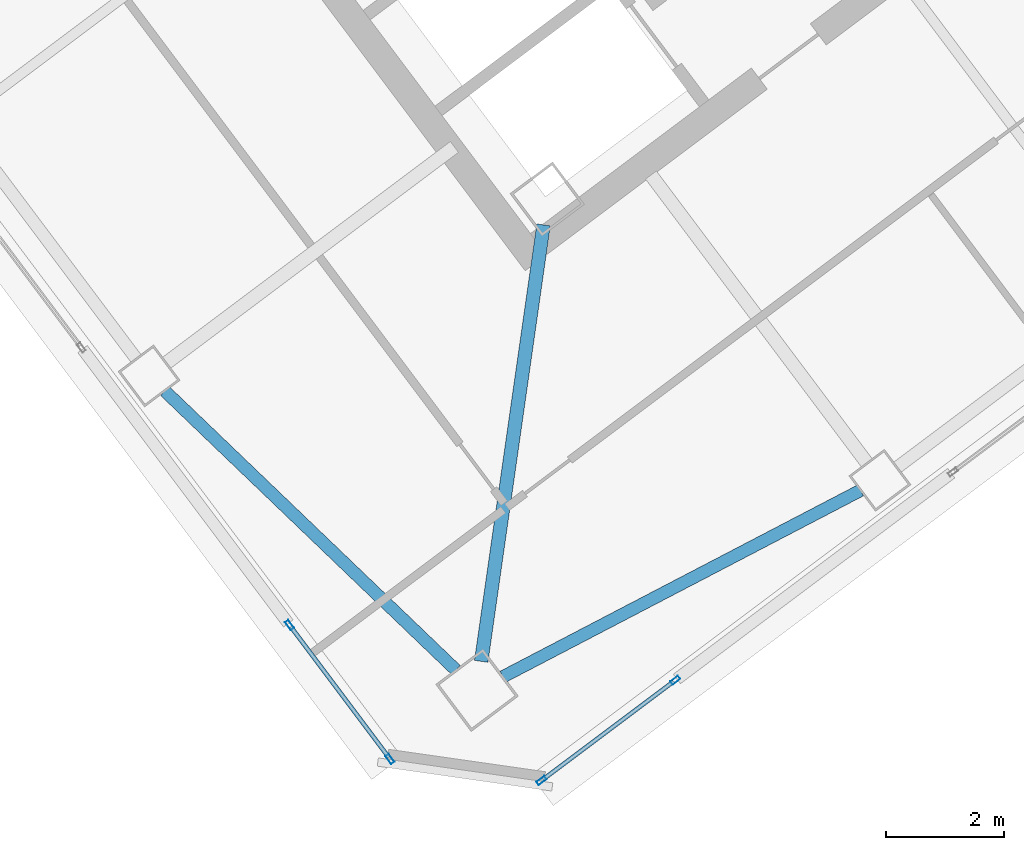
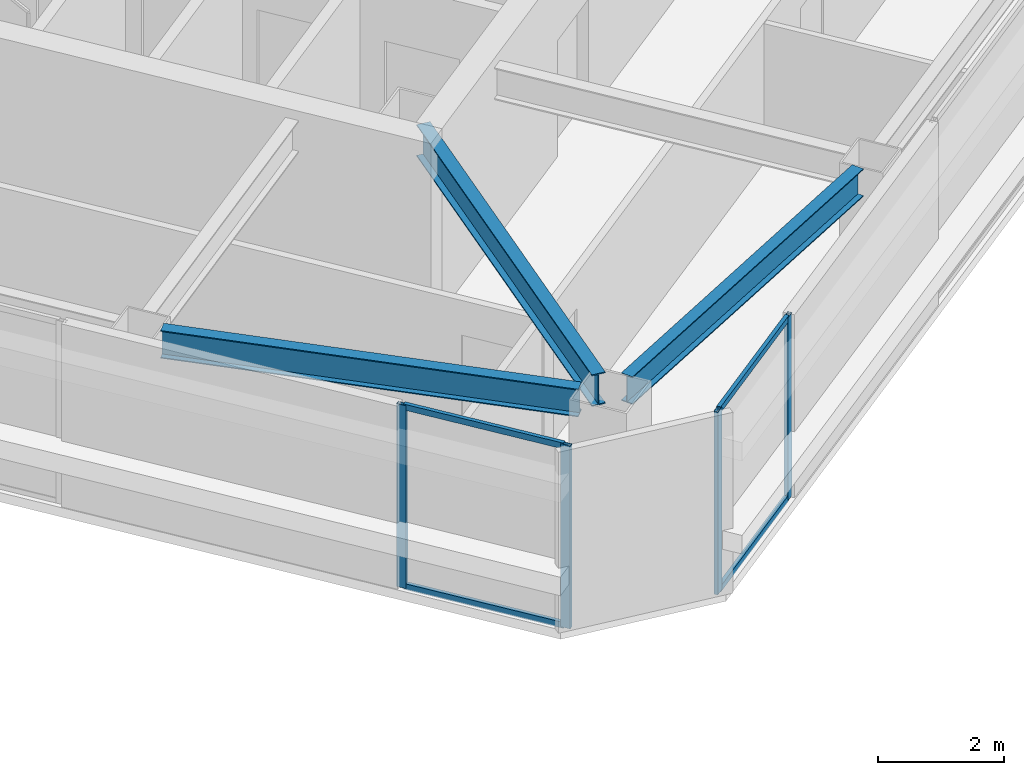
# One storey, part 16 of 36: 8 members, 3 beams, 2 elements without a shape of their own.
"""IFC4 building model written with IfcOpenShell, lengths in metres."""

from ifc_helpers import new_model, si_unit, direction, frame, origin, origin_2d, place, context, subcontext, project, spatial, hollow_rectangle, i_section, extrude, material, material_profile, profile_set, type_object, element, aggregate, save


model = new_model("IFC4")

# Units and contexts
model_context = context("Model", 3, precision=1e-05, world=origin(), true_north=direction((0.0, 1.0)))
body_context = subcontext(model_context, "Body", "Model", "MODEL_VIEW")
ifc_project = project(units=[si_unit("LENGTHUNIT", "METRE"), si_unit("AREAUNIT", "SQUARE_METRE"), si_unit("VOLUMEUNIT", "CUBIC_METRE"), si_unit("PLANEANGLEUNIT", "RADIAN"), si_unit("MASSUNIT", "GRAM", prefix="KILO")], contexts=[model_context])

# Site, building, storey
site_placement = place(None, origin())
site = spatial("IfcSite", under=ifc_project, at=site_placement, CompositionType="ELEMENT")
building_placement = place(site_placement, origin())
building = spatial("IfcBuilding", under=site, at=building_placement, Name="Tashvorn Skyway Center", CompositionType="ELEMENT")
storey_placement = place(building_placement, frame((0.0, 0.0, 236.14990234375)))
storey = spatial("IfcBuildingStorey", under=building, at=storey_placement, Name="L64", CompositionType="ELEMENT", Elevation=236.14990234375)

# Beams
ifc_material_1 = material(Name="Steel ASTM A992 Grade 50", Category="steel")
ifc_material_profile_1 = material_profile(ifc_material_1, i_section(OverallWidth=0.22998046875, OverallDepth=0.616943359375, WebThickness=0.01318359375, FlangeThickness=0.022216796875, at=origin_2d()), Name="W24X94")
ifc_profile_set_1 = profile_set([ifc_material_profile_1], Name="Steel ASTM A992 Grade 50")
beam_type_1 = type_object("IfcBeamType", Name="BM-BEAM-W24X94", PredefinedType="BEAM", material=ifc_profile_set_1)
beam_placement = place(storey_placement, frame((111.469970703125, 14.2900390625, 3.0615234375), z_axis=(0.141430501853, 0.989948187102, 0.0), x_axis=(-0.989948187102, 0.141430501853, 0.0)))
element("IfcBeam", 1, at=beam_placement, inside=storey, type_object=beam_type_1, Name="Tower 2 L64 Primary Floor Girder MC-SW", PredefinedType="BEAM", context=body_context, shape_type="SweptSolid", body=[
    extrude(i_section(OverallWidth=0.22998046875, OverallDepth=0.616943359375, WebThickness=0.01318359375, FlangeThickness=0.022216796875, at=origin_2d()), origin(), (0.0, 0.0, 1.0), 7.474609375),
])
ifc_material_profile_2 = material_profile(ifc_material_1, i_section(OverallWidth=0.2109375, OverallDepth=0.5390625, WebThickness=0.01171875, FlangeThickness=0.018798828125, at=origin_2d()), Name="W21X73")
ifc_profile_set_2 = profile_set([ifc_material_profile_2], Name="Steel ASTM A992 Grade 50")
beam_type_2 = type_object("IfcBeamType", Name="BM-SPANDREL-W21X73", PredefinedType="SPANDREL", material=ifc_profile_set_2)
for number, where, z_axis, x_axis, name in (
    (2, (111.8388671875, 14.02880859375, 3.1005859375), (0.886773234579, 0.462204749472, 0.0), (-0.462204749472, 0.886773234579, 0.0), "Tower 2 L64 Spandrel Beam 01"),
    (3, (106.107177734375, 18.8740234375, 3.1005859375), (0.72187522213, -0.69202323926, 0.0), (0.69202323926, 0.72187522213, 0.0), "Tower 2 L64 Spandrel Beam 12"),
):
    element("IfcBeam", number, at=place(storey_placement, frame(where, z_axis=z_axis, x_axis=x_axis)), inside=storey, type_object=beam_type_2, Name=name, PredefinedType="SPANDREL", context=body_context, shape_type="SweptSolid", body=[
        extrude(i_section(OverallWidth=0.2109375, OverallDepth=0.5390625, WebThickness=0.01171875, FlangeThickness=0.018798828125, at=origin_2d()), origin(), (0.0, 0.0, 1.0), 6.837158203125),
    ])

# Curtain wall, members
ifc_material_2 = material(Name="Thermally broken bronze-anodized aluminium 6063-T6", Category="aluminium")
curtain_wall_type = type_object("IfcCurtainWallType", Name="CW-CW-Z5", PredefinedType="NOTDEFINED", material=ifc_material_2)
curtain_wall_1_placement = place(storey_placement, origin())
curtain_wall_1 = element("IfcCurtainWall", 4, at=curtain_wall_1_placement, inside=storey, type_object=curtain_wall_type, Name="Tower 2 L64 South Unitised Curtain Wall Glazing Group 3", PredefinedType="NOTDEFINED")
ifc_material_profile_3 = material_profile(ifc_material_2, hollow_rectangle(XDim=0.070068359375, YDim=0.1650390625, WallThickness=0.00390625, at=origin_2d()), Name="ALU-MULL-70x165")
ifc_profile_set_3 = profile_set([ifc_material_profile_3], Name="Thermally broken bronze-anodized aluminium 6063-T6")
member_type_1 = type_object("IfcMemberType", Name="CWM-CW-Z5", PredefinedType="MULLION", material=ifc_profile_set_3)
member_1_placement = place(storey_placement, frame((114.76123046875, 13.970947265625, 0.0), z_axis=(0.0, 0.0, 1.0), x_axis=(0.600005504617, -0.799995871508, 0.0)))
member_1 = element("IfcMember", 5, at=member_1_placement, type_object=member_type_1, Name="CW-Z5 mullion 1", PredefinedType="MULLION", context=body_context, shape_type="SweptSolid", body=[
    extrude(hollow_rectangle(XDim=0.070068359375, YDim=0.1650390625, WallThickness=0.00390625, at=origin_2d()), origin(), (0.0, 0.0, 1.0), 3.550048828125),
])
member_2_placement = place(storey_placement, frame((112.491943359375, 12.26904296875, 0.0), z_axis=(0.0, 0.0, 1.0), x_axis=(0.600005504617, -0.799995871508, 0.0)))
member_2 = element("IfcMember", 6, at=member_2_placement, type_object=member_type_1, Name="CW-Z5 mullion 2", PredefinedType="MULLION", context=body_context, shape_type="SweptSolid", body=[
    extrude(hollow_rectangle(XDim=0.070068359375, YDim=0.1650390625, WallThickness=0.00390625, at=origin_2d()), origin(), (0.0, 0.0, 1.0), 3.550048828125),
])

curtain_wall_2_placement = place(storey_placement, origin())
curtain_wall_2 = element("IfcCurtainWall", 7, at=curtain_wall_2_placement, inside=storey, type_object=curtain_wall_type, Name="Tower 2 L64 West Unitised Curtain Wall Glazing Group 1", PredefinedType="NOTDEFINED")
member_3_placement = place(storey_placement, frame((109.923095703125, 12.635986328125, 0.0), z_axis=(0.0, 0.0, 1.0), x_axis=(-0.799995871508, -0.600005504617, 0.0)))
member_3 = element("IfcMember", 8, at=member_3_placement, type_object=member_type_1, Name="CW-Z5 mullion 1", PredefinedType="MULLION", context=body_context, shape_type="SweptSolid", body=[
    extrude(hollow_rectangle(XDim=0.070068359375, YDim=0.1650390625, WallThickness=0.00390625, at=origin_2d()), origin(), (0.0, 0.0, 1.0), 3.550048828125),
])
member_4_placement = place(storey_placement, frame((108.220947265625, 14.9052734375, 0.0), z_axis=(0.0, 0.0, 1.0), x_axis=(-0.799995871508, -0.600005504617, 0.0)))
member_4 = element("IfcMember", 9, at=member_4_placement, type_object=member_type_1, Name="CW-Z5 mullion 2", PredefinedType="MULLION", context=body_context, shape_type="SweptSolid", body=[
    extrude(hollow_rectangle(XDim=0.070068359375, YDim=0.1650390625, WallThickness=0.00390625, at=origin_2d()), origin(), (0.0, 0.0, 1.0), 3.550048828125),
])

# Member
ifc_material_profile_4 = material_profile(ifc_material_2, hollow_rectangle(XDim=0.070068359375, YDim=0.114990234375, WallThickness=0.00390625, at=origin_2d()), Name="ALU-TRAN-70x115")
ifc_profile_set_4 = profile_set([ifc_material_profile_4], Name="Thermally broken bronze-anodized aluminium 6063-T6")
member_type_2 = type_object("IfcMemberType", Name="CWT-CW-Z5", PredefinedType="USERDEFINED", material=ifc_profile_set_4)
member_5_placement = place(storey_placement, frame((114.7333984375, 13.949951171875, 0.03515625), z_axis=(-0.80002117809, -0.599971761508, 0.0), x_axis=(0.599971761508, -0.80002117809, 0.0)))
member_5 = element("IfcMember", 10, at=member_5_placement, type_object=member_type_2, Name="CW-Z5 transom 1.1", ObjectType="TRANSOM", PredefinedType="USERDEFINED", context=body_context, shape_type="SweptSolid", body=[
    extrude(hollow_rectangle(XDim=0.070068359375, YDim=0.114990234375, WallThickness=0.00390625, at=origin_2d()), origin(), (0.0, 0.0, 1.0), 2.7666015625),
])

member_6_placement = place(storey_placement, frame((114.7333984375, 13.949951171875, 3.51513671875), z_axis=(-0.80002117809, -0.599971761508, 0.0), x_axis=(0.599971761508, -0.80002117809, 0.0)))
member_6 = element("IfcMember", 11, at=member_6_placement, type_object=member_type_2, Name="CW-Z5 transom 1.2", ObjectType="TRANSOM", PredefinedType="USERDEFINED", context=body_context, shape_type="SweptSolid", body=[
    extrude(hollow_rectangle(XDim=0.070068359375, YDim=0.114990234375, WallThickness=0.00390625, at=origin_2d()), origin(), (0.0, 0.0, 1.0), 2.7666015625),
])

aggregate(curtain_wall_1, [member_1, member_2, member_5, member_6])

member_7_placement = place(storey_placement, frame((109.902099609375, 12.6640625, 0.03515625), z_axis=(-0.600070594204, 0.79994704948, 0.0), x_axis=(-0.79994704948, -0.600070594204, 0.0)))
member_7 = element("IfcMember", 12, at=member_7_placement, type_object=member_type_2, Name="CW-Z5 transom 1.1", ObjectType="TRANSOM", PredefinedType="USERDEFINED", context=body_context, shape_type="SweptSolid", body=[
    extrude(hollow_rectangle(XDim=0.070068359375, YDim=0.114990234375, WallThickness=0.00390625, at=origin_2d()), origin(), (0.0, 0.0, 1.0), 2.7666015625),
])

member_8_placement = place(storey_placement, frame((109.902099609375, 12.6640625, 3.51513671875), z_axis=(-0.600070594204, 0.79994704948, 0.0), x_axis=(-0.79994704948, -0.600070594204, 0.0)))
member_8 = element("IfcMember", 13, at=member_8_placement, type_object=member_type_2, Name="CW-Z5 transom 1.2", ObjectType="TRANSOM", PredefinedType="USERDEFINED", context=body_context, shape_type="SweptSolid", body=[
    extrude(hollow_rectangle(XDim=0.070068359375, YDim=0.114990234375, WallThickness=0.00390625, at=origin_2d()), origin(), (0.0, 0.0, 1.0), 2.7666015625),
])

aggregate(curtain_wall_2, [member_3, member_4, member_7, member_8])

save(model, "model.ifc")
